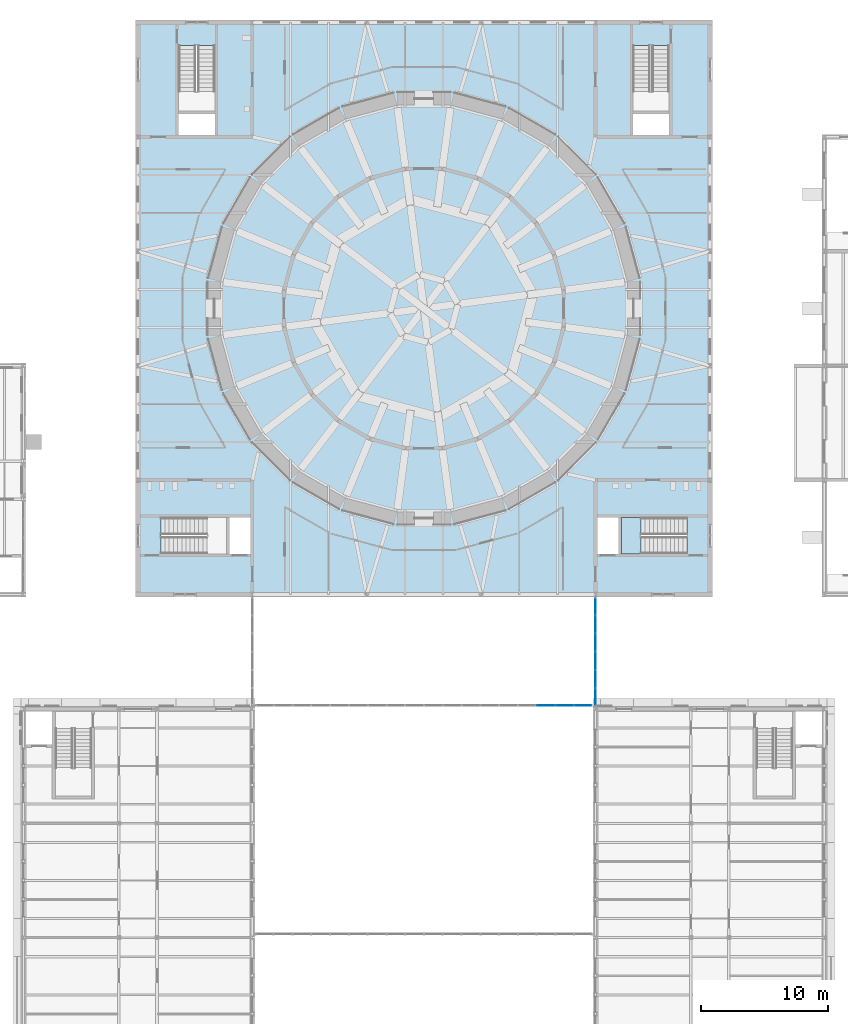
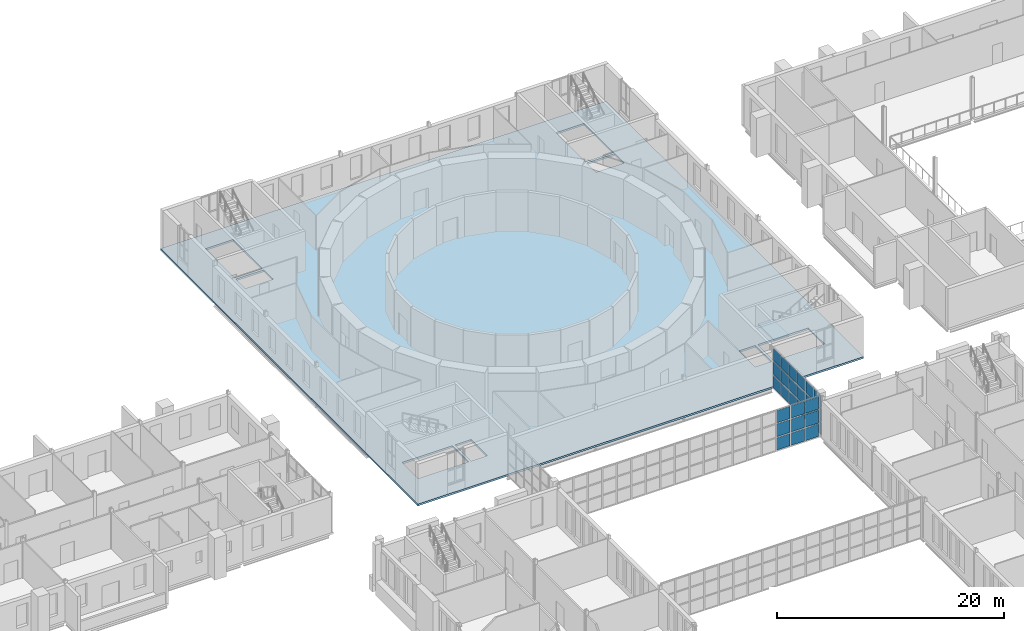
# One storey, part 67 of 131: 27 plates, 2 slabs, 3 elements without a shape of their own.
"""IFC4 building model written with IfcOpenShell, lengths in metres."""

from ifc_helpers import new_model, si_unit, direction, frame, origin, origin_2d, place, context, subcontext, project, spatial, polyline, rectangle, outline, extrude, material, layer, layer_set, type_object, element, aggregate, save


model = new_model("IFC4")

# Units and contexts
model_context = context("Model", 3, precision=1e-05, world=origin(), true_north=direction((0.0, 1.0)))
body_context = subcontext(model_context, "Body", "Model", "MODEL_VIEW")
ifc_project = project(units=[si_unit("LENGTHUNIT", "METRE"), si_unit("AREAUNIT", "SQUARE_METRE"), si_unit("VOLUMEUNIT", "CUBIC_METRE"), si_unit("PLANEANGLEUNIT", "RADIAN"), si_unit("MASSUNIT", "GRAM", prefix="KILO")], contexts=[model_context])

# Site, building, storey
site_placement = place(None, origin())
site = spatial("IfcSite", under=ifc_project, at=site_placement, CompositionType="ELEMENT")
building_placement = place(site_placement, origin())
building = spatial("IfcBuilding", under=site, at=building_placement, Name="Golden Quay Civic Hall", CompositionType="ELEMENT")
storey_placement = place(building_placement, frame((0.0, 0.0, 9.89990234375)))
storey = spatial("IfcBuildingStorey", under=building, at=storey_placement, Name="L02", CompositionType="ELEMENT", Elevation=9.89990234375)

# Slab
ifc_material_1 = material(Name="Concrete C35/45", Category="concrete")
ifc_layer_1 = layer(ifc_material_1, 0.199951171875)
ifc_layer_set_1 = layer_set([ifc_layer_1], Name="Chamber floor 200")
slab_type_1 = type_object("IfcSlabType", Name="Chamber floor 200", PredefinedType="FLOOR", material=ifc_layer_set_1)
slab_1_placement = place(storey_placement, frame((0.0, 0.0, -0.199951171875)))
element("IfcSlab", 1, at=slab_1_placement, inside=storey, type_object=slab_type_1, Name="Floor slab", PredefinedType="FLOOR", context=body_context, shape_type="SweptSolid", body=[
    extrude(outline(polyline([(62.800048828125, 62.800048828125), (62.800048828125, 108.199951171875), (108.199951171875, 108.199951171875), (108.199951171875, 62.800048828125), (62.800048828125, 62.800048828125)]), holes=[polyline([(69.949951171875, 69.050048828125), (64.804931640625, 69.050048828125), (64.804931640625, 66.199951171875), (69.949951171875, 66.199951171875), (69.949951171875, 69.050048828125)]), polyline([(71.85009765625, 69.050048828125), (70.199951171875, 69.050048828125), (70.199951171875, 66.199951171875), (71.85009765625, 66.199951171875), (71.85009765625, 69.050048828125)]), polyline([(99.14990234375, 69.050048828125), (99.14990234375, 66.199951171875), (100.800048828125, 66.199951171875), (100.800048828125, 69.050048828125), (99.14990234375, 69.050048828125)]), polyline([(101.050048828125, 66.199951171875), (106.195068359375, 66.199951171875), (106.195068359375, 69.050048828125), (101.050048828125, 69.050048828125), (101.050048828125, 66.199951171875)]), polyline([(69.050048828125, 99.14990234375), (69.050048828125, 100.800048828125), (66.199951171875, 100.800048828125), (66.199951171875, 99.14990234375), (69.050048828125, 99.14990234375)]), polyline([(101.949951171875, 99.14990234375), (104.800048828125, 99.14990234375), (104.800048828125, 100.800048828125), (101.949951171875, 100.800048828125), (101.949951171875, 99.14990234375)]), polyline([(69.050048828125, 101.050048828125), (69.050048828125, 106.195068359375), (66.199951171875, 106.195068359375), (66.199951171875, 101.050048828125), (69.050048828125, 101.050048828125)]), polyline([(104.800048828125, 101.050048828125), (104.800048828125, 106.195068359375), (101.949951171875, 106.195068359375), (101.949951171875, 101.050048828125), (104.800048828125, 101.050048828125)])]), origin(), (0.0, 0.0, 1.0), 0.199951171875),
])

# Curtain wall, plates
ifc_material_2 = material(Name="Fire-resisting glass and steel", Category="steel")
curtain_wall_type_1 = type_object("IfcCurtainWallType", Name="Fire-resisting glazed curtain wall EI 120", PredefinedType="NOTDEFINED", material=ifc_material_2)
curtain_wall_1_placement = place(storey_placement, origin())
curtain_wall_1 = element("IfcCurtainWall", 2, at=curtain_wall_1_placement, inside=storey, type_object=curtain_wall_type_1, Name="CW3 curtain wall", PredefinedType="NOTDEFINED")
ifc_material_3 = material(Name="Fire-resisting laminated glass", Category="glass")
ifc_layer_2 = layer(ifc_material_3, 0.0400390625)
ifc_layer_set_2 = layer_set([ifc_layer_2], Name="Fire-resisting glazed panel 40")
plate_type_1 = type_object("IfcPlateType", Name="Fire-resisting glazed panel 40", PredefinedType="CURTAIN_PANEL", material=ifc_layer_set_2)
plate_1_placement = place(storey_placement, frame((95.10546875, 54.27001953125, -0.080078125), z_axis=(0.0, 0.0, 1.0), x_axis=(1.0, 0.0, 0.0)))
plate_1 = element("IfcPlate", 3, at=plate_1_placement, type_object=plate_type_1, Name="CW3 panel 16.1", PredefinedType="CURTAIN_PANEL", context=body_context, shape_type="SweptSolid", body=[
    extrude(rectangle(XDim=1.357666015625, YDim=0.0400390625, at=origin_2d()), origin(), (0.0, 0.0, 1.0), 1.320068359375),
])
plate_2_placement = place(storey_placement, frame((95.10546875, 54.27001953125, 1.360107421875), z_axis=(0.0, 0.0, 1.0), x_axis=(1.0, 0.0, 0.0)))
plate_2 = element("IfcPlate", 4, at=plate_2_placement, type_object=plate_type_1, Name="CW3 panel 16.2", PredefinedType="CURTAIN_PANEL", context=body_context, shape_type="SweptSolid", body=[
    extrude(rectangle(XDim=1.357666015625, YDim=0.0400390625, at=origin_2d()), origin(), (0.0, 0.0, 1.0), 1.3798828125),
])
plate_3_placement = place(storey_placement, frame((95.10546875, 54.27001953125, 2.85986328125), z_axis=(0.0, 0.0, 1.0), x_axis=(1.0, 0.0, 0.0)))
plate_3 = element("IfcPlate", 5, at=plate_3_placement, type_object=plate_type_1, Name="CW3 panel 16.3", PredefinedType="CURTAIN_PANEL", context=body_context, shape_type="SweptSolid", body=[
    extrude(rectangle(XDim=1.357666015625, YDim=0.0400390625, at=origin_2d()), origin(), (0.0, 0.0, 1.0), 1.320068359375),
])
plate_4_placement = place(storey_placement, frame((96.583251953125, 54.27001953125, -0.080078125), z_axis=(0.0, 0.0, 1.0), x_axis=(1.0, 0.0, 0.0)))
plate_4 = element("IfcPlate", 6, at=plate_4_placement, type_object=plate_type_1, Name="CW3 panel 17.1", PredefinedType="CURTAIN_PANEL", context=body_context, shape_type="SweptSolid", body=[
    extrude(rectangle(XDim=1.357666015625, YDim=0.0400390625, at=origin_2d()), origin(), (0.0, 0.0, 1.0), 1.320068359375),
])
plate_5_placement = place(storey_placement, frame((96.583251953125, 54.27001953125, 1.360107421875), z_axis=(0.0, 0.0, 1.0), x_axis=(1.0, 0.0, 0.0)))
plate_5 = element("IfcPlate", 7, at=plate_5_placement, type_object=plate_type_1, Name="CW3 panel 17.2", PredefinedType="CURTAIN_PANEL", context=body_context, shape_type="SweptSolid", body=[
    extrude(rectangle(XDim=1.357666015625, YDim=0.0400390625, at=origin_2d()), origin(), (0.0, 0.0, 1.0), 1.3798828125),
])
plate_6_placement = place(storey_placement, frame((96.583251953125, 54.27001953125, 2.85986328125), z_axis=(0.0, 0.0, 1.0), x_axis=(1.0, 0.0, 0.0)))
plate_6 = element("IfcPlate", 8, at=plate_6_placement, type_object=plate_type_1, Name="CW3 panel 17.3", PredefinedType="CURTAIN_PANEL", context=body_context, shape_type="SweptSolid", body=[
    extrude(rectangle(XDim=1.357666015625, YDim=0.0400390625, at=origin_2d()), origin(), (0.0, 0.0, 1.0), 1.320068359375),
])
plate_7_placement = place(storey_placement, frame((98.031005859375, 54.27001953125, -0.080078125), z_axis=(0.0, 0.0, 1.0), x_axis=(1.0, 0.0, 0.0)))
plate_7 = element("IfcPlate", 9, at=plate_7_placement, type_object=plate_type_1, Name="CW3 panel 18.1", PredefinedType="CURTAIN_PANEL", context=body_context, shape_type="SweptSolid", body=[
    extrude(rectangle(XDim=1.2978515625, YDim=0.0400390625, at=origin_2d()), origin(), (0.0, 0.0, 1.0), 1.320068359375),
])
plate_8_placement = place(storey_placement, frame((98.031005859375, 54.27001953125, 1.360107421875), z_axis=(0.0, 0.0, 1.0), x_axis=(1.0, 0.0, 0.0)))
plate_8 = element("IfcPlate", 10, at=plate_8_placement, type_object=plate_type_1, Name="CW3 panel 18.2", PredefinedType="CURTAIN_PANEL", context=body_context, shape_type="SweptSolid", body=[
    extrude(rectangle(XDim=1.2978515625, YDim=0.0400390625, at=origin_2d()), origin(), (0.0, 0.0, 1.0), 1.3798828125),
])
plate_9_placement = place(storey_placement, frame((98.031005859375, 54.27001953125, 2.85986328125), z_axis=(0.0, 0.0, 1.0), x_axis=(1.0, 0.0, 0.0)))
plate_9 = element("IfcPlate", 11, at=plate_9_placement, type_object=plate_type_1, Name="CW3 panel 18.3", PredefinedType="CURTAIN_PANEL", context=body_context, shape_type="SweptSolid", body=[
    extrude(rectangle(XDim=1.2978515625, YDim=0.0400390625, at=origin_2d()), origin(), (0.0, 0.0, 1.0), 1.320068359375),
])
aggregate(curtain_wall_1, [plate_1, plate_2, plate_3, plate_4, plate_5, plate_6, plate_7, plate_8, plate_9])

ifc_material_4 = material(Name="Glass and aluminium", Category="aluminium")
curtain_wall_type_2 = type_object("IfcCurtainWallType", Name="Glazed curtain wall 1500 module", PredefinedType="NOTDEFINED", material=ifc_material_4)
curtain_wall_2_placement = place(storey_placement, origin())
curtain_wall_2 = element("IfcCurtainWall", 12, at=curtain_wall_2_placement, inside=storey, type_object=curtain_wall_type_2, Name="CW1 curtain wall", PredefinedType="NOTDEFINED")
ifc_material_5 = material(Name="Laminated glass", Category="glass")
ifc_layer_3 = layer(ifc_material_5, 0.028076171875)
ifc_layer_set_3 = layer_set([ifc_layer_3], Name="Laminated glass panel 28")
plate_type_2 = type_object("IfcPlateType", Name="Laminated glass panel 28", PredefinedType="CURTAIN_PANEL", material=ifc_layer_set_3)
plate_10_placement = place(storey_placement, frame((99.0, 54.94677734375, -0.080078125), z_axis=(0.0, 0.0, 1.0), x_axis=(0.0, 1.0, 0.0)))
plate_10 = element("IfcPlate", 13, at=plate_10_placement, type_object=plate_type_2, Name="CW1 panel 1.1", PredefinedType="CURTAIN_PANEL", context=body_context, shape_type="SweptSolid", body=[
    extrude(rectangle(XDim=1.25341796875, YDim=0.028076171875, at=origin_2d()), origin(), (0.0, 0.0, 1.0), 1.320068359375),
])
plate_11_placement = place(storey_placement, frame((99.0, 54.94677734375, 1.360107421875), z_axis=(0.0, 0.0, 1.0), x_axis=(0.0, 1.0, 0.0)))
plate_11 = element("IfcPlate", 14, at=plate_11_placement, type_object=plate_type_2, Name="CW1 panel 1.2", PredefinedType="CURTAIN_PANEL", context=body_context, shape_type="SweptSolid", body=[
    extrude(rectangle(XDim=1.25341796875, YDim=0.028076171875, at=origin_2d()), origin(), (0.0, 0.0, 1.0), 1.3798828125),
])
plate_12_placement = place(storey_placement, frame((99.0, 54.94677734375, 2.85986328125), z_axis=(0.0, 0.0, 1.0), x_axis=(0.0, 1.0, 0.0)))
plate_12 = element("IfcPlate", 15, at=plate_12_placement, type_object=plate_type_2, Name="CW1 panel 1.3", PredefinedType="CURTAIN_PANEL", context=body_context, shape_type="SweptSolid", body=[
    extrude(rectangle(XDim=1.25341796875, YDim=0.028076171875, at=origin_2d()), origin(), (0.0, 0.0, 1.0), 1.320068359375),
])
plate_13_placement = place(storey_placement, frame((99.0, 56.35009765625, -0.080078125), z_axis=(0.0, 0.0, 1.0), x_axis=(0.0, 1.0, 0.0)))
plate_13 = element("IfcPlate", 16, at=plate_13_placement, type_object=plate_type_2, Name="CW1 panel 2.1", PredefinedType="CURTAIN_PANEL", context=body_context, shape_type="SweptSolid", body=[
    extrude(rectangle(XDim=1.313232421875, YDim=0.028076171875, at=origin_2d()), origin(), (0.0, 0.0, 1.0), 1.320068359375),
])
plate_14_placement = place(storey_placement, frame((99.0, 56.35009765625, 1.360107421875), z_axis=(0.0, 0.0, 1.0), x_axis=(0.0, 1.0, 0.0)))
plate_14 = element("IfcPlate", 17, at=plate_14_placement, type_object=plate_type_2, Name="CW1 panel 2.2", PredefinedType="CURTAIN_PANEL", context=body_context, shape_type="SweptSolid", body=[
    extrude(rectangle(XDim=1.313232421875, YDim=0.028076171875, at=origin_2d()), origin(), (0.0, 0.0, 1.0), 1.3798828125),
])
plate_15_placement = place(storey_placement, frame((99.0, 56.35009765625, 2.85986328125), z_axis=(0.0, 0.0, 1.0), x_axis=(0.0, 1.0, 0.0)))
plate_15 = element("IfcPlate", 18, at=plate_15_placement, type_object=plate_type_2, Name="CW1 panel 2.3", PredefinedType="CURTAIN_PANEL", context=body_context, shape_type="SweptSolid", body=[
    extrude(rectangle(XDim=1.313232421875, YDim=0.028076171875, at=origin_2d()), origin(), (0.0, 0.0, 1.0), 1.320068359375),
])
plate_16_placement = place(storey_placement, frame((99.0, 57.783447265625, -0.080078125), z_axis=(0.0, 0.0, 1.0), x_axis=(0.0, 1.0, 0.0)))
plate_16 = element("IfcPlate", 19, at=plate_16_placement, type_object=plate_type_2, Name="CW1 panel 3.1", PredefinedType="CURTAIN_PANEL", context=body_context, shape_type="SweptSolid", body=[
    extrude(rectangle(XDim=1.313232421875, YDim=0.028076171875, at=origin_2d()), origin(), (0.0, 0.0, 1.0), 1.320068359375),
])
plate_17_placement = place(storey_placement, frame((99.0, 57.783447265625, 1.360107421875), z_axis=(0.0, 0.0, 1.0), x_axis=(0.0, 1.0, 0.0)))
plate_17 = element("IfcPlate", 20, at=plate_17_placement, type_object=plate_type_2, Name="CW1 panel 3.2", PredefinedType="CURTAIN_PANEL", context=body_context, shape_type="SweptSolid", body=[
    extrude(rectangle(XDim=1.313232421875, YDim=0.028076171875, at=origin_2d()), origin(), (0.0, 0.0, 1.0), 1.3798828125),
])
plate_18_placement = place(storey_placement, frame((99.0, 57.783447265625, 2.85986328125), z_axis=(0.0, 0.0, 1.0), x_axis=(0.0, 1.0, 0.0)))
plate_18 = element("IfcPlate", 21, at=plate_18_placement, type_object=plate_type_2, Name="CW1 panel 3.3", PredefinedType="CURTAIN_PANEL", context=body_context, shape_type="SweptSolid", body=[
    extrude(rectangle(XDim=1.313232421875, YDim=0.028076171875, at=origin_2d()), origin(), (0.0, 0.0, 1.0), 1.320068359375),
])
plate_19_placement = place(storey_placement, frame((99.0, 59.216552734375, -0.080078125), z_axis=(0.0, 0.0, 1.0), x_axis=(0.0, 1.0, 0.0)))
plate_19 = element("IfcPlate", 22, at=plate_19_placement, type_object=plate_type_2, Name="CW1 panel 4.1", PredefinedType="CURTAIN_PANEL", context=body_context, shape_type="SweptSolid", body=[
    extrude(rectangle(XDim=1.313232421875, YDim=0.028076171875, at=origin_2d()), origin(), (0.0, 0.0, 1.0), 1.320068359375),
])
plate_20_placement = place(storey_placement, frame((99.0, 59.216552734375, 1.360107421875), z_axis=(0.0, 0.0, 1.0), x_axis=(0.0, 1.0, 0.0)))
plate_20 = element("IfcPlate", 23, at=plate_20_placement, type_object=plate_type_2, Name="CW1 panel 4.2", PredefinedType="CURTAIN_PANEL", context=body_context, shape_type="SweptSolid", body=[
    extrude(rectangle(XDim=1.313232421875, YDim=0.028076171875, at=origin_2d()), origin(), (0.0, 0.0, 1.0), 1.3798828125),
])
plate_21_placement = place(storey_placement, frame((99.0, 59.216552734375, 2.85986328125), z_axis=(0.0, 0.0, 1.0), x_axis=(0.0, 1.0, 0.0)))
plate_21 = element("IfcPlate", 24, at=plate_21_placement, type_object=plate_type_2, Name="CW1 panel 4.3", PredefinedType="CURTAIN_PANEL", context=body_context, shape_type="SweptSolid", body=[
    extrude(rectangle(XDim=1.313232421875, YDim=0.028076171875, at=origin_2d()), origin(), (0.0, 0.0, 1.0), 1.320068359375),
])
plate_22_placement = place(storey_placement, frame((99.0, 60.64990234375, -0.080078125), z_axis=(0.0, 0.0, 1.0), x_axis=(0.0, 1.0, 0.0)))
plate_22 = element("IfcPlate", 25, at=plate_22_placement, type_object=plate_type_2, Name="CW1 panel 5.1", PredefinedType="CURTAIN_PANEL", context=body_context, shape_type="SweptSolid", body=[
    extrude(rectangle(XDim=1.313232421875, YDim=0.028076171875, at=origin_2d()), origin(), (0.0, 0.0, 1.0), 1.320068359375),
])
plate_23_placement = place(storey_placement, frame((99.0, 60.64990234375, 1.360107421875), z_axis=(0.0, 0.0, 1.0), x_axis=(0.0, 1.0, 0.0)))
plate_23 = element("IfcPlate", 26, at=plate_23_placement, type_object=plate_type_2, Name="CW1 panel 5.2", PredefinedType="CURTAIN_PANEL", context=body_context, shape_type="SweptSolid", body=[
    extrude(rectangle(XDim=1.313232421875, YDim=0.028076171875, at=origin_2d()), origin(), (0.0, 0.0, 1.0), 1.3798828125),
])
plate_24_placement = place(storey_placement, frame((99.0, 60.64990234375, 2.85986328125), z_axis=(0.0, 0.0, 1.0), x_axis=(0.0, 1.0, 0.0)))
plate_24 = element("IfcPlate", 27, at=plate_24_placement, type_object=plate_type_2, Name="CW1 panel 5.3", PredefinedType="CURTAIN_PANEL", context=body_context, shape_type="SweptSolid", body=[
    extrude(rectangle(XDim=1.313232421875, YDim=0.028076171875, at=origin_2d()), origin(), (0.0, 0.0, 1.0), 1.320068359375),
])
plate_25_placement = place(storey_placement, frame((99.0, 62.05322265625, -0.080078125), z_axis=(0.0, 0.0, 1.0), x_axis=(0.0, 1.0, 0.0)))
plate_25 = element("IfcPlate", 28, at=plate_25_placement, type_object=plate_type_2, Name="CW1 panel 6.1", PredefinedType="CURTAIN_PANEL", context=body_context, shape_type="SweptSolid", body=[
    extrude(rectangle(XDim=1.25341796875, YDim=0.028076171875, at=origin_2d()), origin(), (0.0, 0.0, 1.0), 1.320068359375),
])
plate_26_placement = place(storey_placement, frame((99.0, 62.05322265625, 1.360107421875), z_axis=(0.0, 0.0, 1.0), x_axis=(0.0, 1.0, 0.0)))
plate_26 = element("IfcPlate", 29, at=plate_26_placement, type_object=plate_type_2, Name="CW1 panel 6.2", PredefinedType="CURTAIN_PANEL", context=body_context, shape_type="SweptSolid", body=[
    extrude(rectangle(XDim=1.25341796875, YDim=0.028076171875, at=origin_2d()), origin(), (0.0, 0.0, 1.0), 1.3798828125),
])
plate_27_placement = place(storey_placement, frame((99.0, 62.05322265625, 2.85986328125), z_axis=(0.0, 0.0, 1.0), x_axis=(0.0, 1.0, 0.0)))
plate_27 = element("IfcPlate", 30, at=plate_27_placement, type_object=plate_type_2, Name="CW1 panel 6.3", PredefinedType="CURTAIN_PANEL", context=body_context, shape_type="SweptSolid", body=[
    extrude(rectangle(XDim=1.25341796875, YDim=0.028076171875, at=origin_2d()), origin(), (0.0, 0.0, 1.0), 1.320068359375),
])
aggregate(curtain_wall_2, [plate_10, plate_11, plate_12, plate_13, plate_14, plate_15, plate_16, plate_17, plate_18, plate_19, plate_20, plate_21, plate_22, plate_23, plate_24, plate_25, plate_26, plate_27])

# Stair, slab
ifc_material_6 = material(Name="Concrete C35/45", Category="concrete")
stair_type = type_object("IfcStairType", Name="Reinforced concrete stair 1350", PredefinedType="HALF_TURN_STAIR", material=ifc_material_6)
stair_placement = place(storey_placement, origin())
stair = element("IfcStair", 31, at=stair_placement, inside=storey, type_object=stair_type, Name="L02 Core stair SE", PredefinedType="HALF_TURN_STAIR")
ifc_material_7 = material(Name="Concrete C35/45", Category="concrete")
ifc_layer_4 = layer(ifc_material_7, 0.199951171875)
ifc_layer_set_4 = layer_set([ifc_layer_4], Name="Reinforced concrete stair landing 200, Concrete C35/45")
slab_type_2 = type_object("IfcSlabType", Name="Reinforced concrete stair landing 200", PredefinedType="LANDING", material=ifc_layer_set_4)
slab_2_placement = place(storey_placement, frame((0.0, 0.0, 2.050048828125)))
slab_2 = element("IfcSlab", 32, at=slab_2_placement, type_object=slab_type_2, Name="CB-SE landing 1", PredefinedType="LANDING", context=body_context, shape_type="SweptSolid", body=[
    extrude(outline(polyline([(102.570068359375, 69.050048828125), (101.050048828125, 69.050048828125), (101.050048828125, 66.199951171875), (102.570068359375, 66.199951171875), (102.570068359375, 69.050048828125)])), origin(), (0.0, 0.0, 1.0), 0.199951171875),
])
aggregate(stair, [slab_2])

save(model, "model.ifc")
